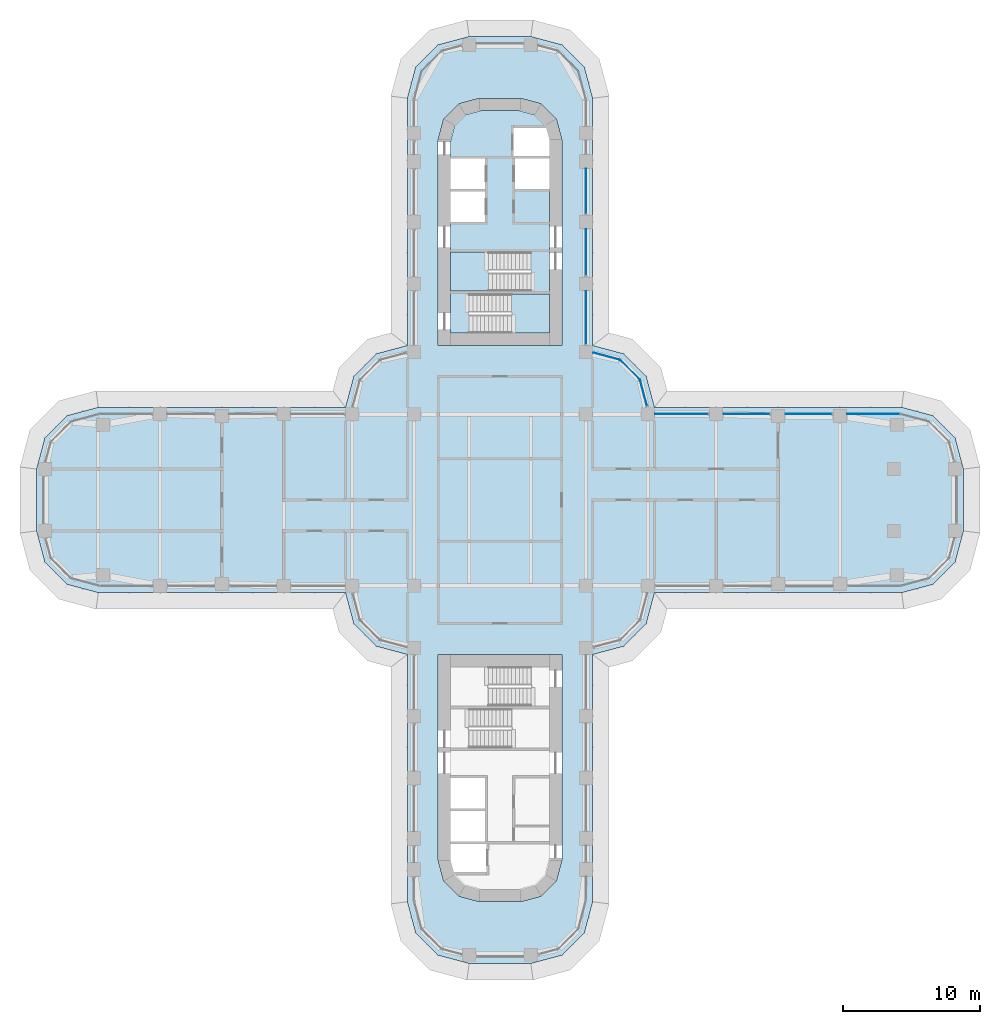
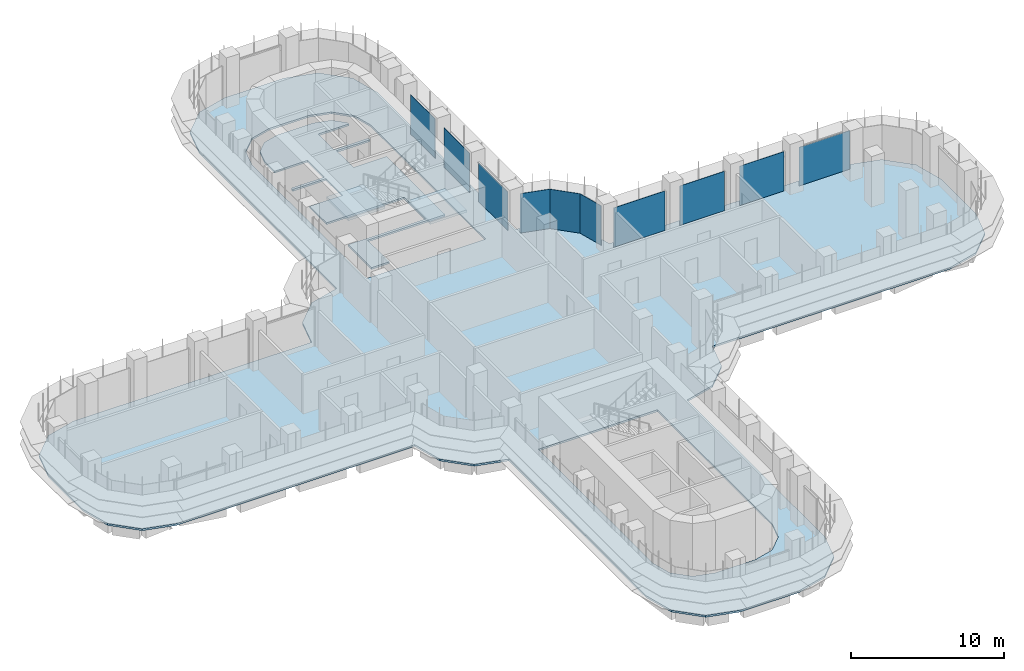
# One storey, part 15 of 23: 10 plates, 4 slabs, 7 elements without a shape of their own.
"""IFC4 building model written with IfcOpenShell, lengths in metres."""

from ifc_helpers import new_model, si_unit, direction, frame, origin, place, context, subcontext, project, spatial, polyline, outline, extrude, source, transform, mapped, material, layer, layer_set, type_object, element, aggregate, save


model = new_model("IFC4")

# Units and contexts
model_context = context("Model", 3, precision=1e-05, world=origin(), true_north=direction((0.0, 1.0)))
body_context = subcontext(model_context, "Body", "Model", "MODEL_VIEW")
ifc_project = project(units=[si_unit("LENGTHUNIT", "METRE"), si_unit("AREAUNIT", "SQUARE_METRE"), si_unit("VOLUMEUNIT", "CUBIC_METRE"), si_unit("PLANEANGLEUNIT", "RADIAN"), si_unit("MASSUNIT", "GRAM", prefix="KILO")], contexts=[model_context])

# Site, building, storey
site_placement = place(None, origin())
site = spatial("IfcSite", under=ifc_project, at=site_placement, CompositionType="ELEMENT")
building_placement = place(site_placement, origin())
building = spatial("IfcBuilding", under=site, at=building_placement, Name="Zarbagh Exchange Tower", CompositionType="ELEMENT")
storey_placement = place(building_placement, frame((0.0, 0.0, 31.199951171875)))
storey = spatial("IfcBuildingStorey", under=building, at=storey_placement, Name="L06", CompositionType="ELEMENT", Elevation=31.199951171875)

# Slabs
ifc_material_1 = material(Name="Concrete C40/50", Category="concrete")
ifc_layer_1 = layer(ifc_material_1, 0.14990234375)
ifc_layer_set_1 = layer_set([ifc_layer_1], Name="Composite floor slab 150 C40/50")
slab_type_1 = type_object("IfcSlabType", Name="Composite floor slab 150 C40/50", PredefinedType="FLOOR", material=ifc_layer_set_1)
slab_1_placement = place(storey_placement, frame((0.0, 0.0, -0.14990234375)))
element("IfcSlab", 1, at=slab_1_placement, inside=storey, type_object=slab_type_1, Name="S5 composite floor slab", PredefinedType="FLOOR", context=body_context, shape_type="SweptSolid", body=[
    extrude(outline(polyline([(-2.25, -33.75), (-4.5, -33.147216796875), (-6.147216796875, -31.5), (-6.75, -29.25), (-6.75, -11.25), (-9.0, -10.647216796875), (-10.647216796875, -9.0), (-11.25, -6.75), (-29.25, -6.75), (-31.5, -6.147216796875), (-33.147216796875, -4.5), (-33.75, -2.25), (-33.75, 2.25), (-33.147216796875, 4.5), (-31.5, 6.147216796875), (-29.25, 6.75), (-11.25, 6.75), (-10.647216796875, 9.0), (-9.0, 10.647216796875), (-6.75, 11.25), (-6.75, 29.25), (-6.147216796875, 31.5), (-4.5, 33.147216796875), (-2.25, 33.75), (2.25, 33.75), (4.5, 33.147216796875), (6.147216796875, 31.5), (6.75, 29.25), (6.75, 11.25), (9.0, 10.647216796875), (10.647216796875, 9.0), (11.25, 6.75), (29.25, 6.75), (31.5, 6.147216796875), (33.147216796875, 4.5), (33.75, 2.25), (33.75, -2.25), (33.147216796875, -4.5), (31.5, -6.147216796875), (29.25, -6.75), (11.25, -6.75), (10.647216796875, -9.0), (9.0, -10.647216796875), (6.75, -11.25), (6.75, -29.25), (6.147216796875, -31.5), (4.5, -33.147216796875), (2.25, -33.75), (-2.25, -33.75)]), holes=[polyline([(4.5, 11.25), (4.5, 26.25), (4.09814453125, 27.75), (3.0, 28.84814453125), (1.5, 29.25), (-1.5, 29.25), (-3.0, 28.84814453125), (-4.09814453125, 27.75), (-4.5, 26.25), (-4.5, 11.25), (4.5, 11.25)]), polyline([(-1.5, -29.25), (1.5, -29.25), (3.0, -28.84814453125), (4.09814453125, -27.75), (4.5, -26.25), (4.5, -11.25), (-4.5, -11.25), (-4.5, -26.25), (-4.09814453125, -27.75), (-3.0, -28.84814453125), (-1.5, -29.25)])]), origin(), (0.0, 0.0, 1.0), 0.14990234375),
])
ifc_layer_2 = layer(ifc_material_1, 0.14990234375)
ifc_layer_set_2 = layer_set([ifc_layer_2], Name="Core floor slab 150 C40/50")
slab_type_2 = type_object("IfcSlabType", Name="Core floor slab 150 C40/50", PredefinedType="FLOOR", material=ifc_layer_set_2)
slab_2_placement = place(storey_placement, frame((0.0, 0.0, -0.14990234375)))
element("IfcSlab", 2, at=slab_2_placement, inside=storey, type_object=slab_type_2, Name="S17 core N", PredefinedType="FLOOR", context=body_context, shape_type="SweptSolid", body=[
    extrude(outline(polyline([(-3.60009765625, 12.14990234375), (-3.60009765625, 15.199951171875), (2.25, 15.199951171875), (2.25, 18.050048828125), (-3.60009765625, 18.050048828125), (-3.60009765625, 20.25), (-1.10009765625, 20.25), (-1.10009765625, 22.449951171875), (-3.60009765625, 22.449951171875), (-3.60009765625, 22.64990234375), (-1.10009765625, 22.64990234375), (-1.10009765625, 24.85009765625), (-3.60009765625, 24.85009765625), (-3.60009765625, 26.131591796875), (-3.291259765625, 27.2841796875), (-2.5341796875, 28.041259765625), (-1.381591796875, 28.35009765625), (1.381591796875, 28.35009765625), (2.5341796875, 28.041259765625), (3.291259765625, 27.2841796875), (3.340576171875, 27.10009765625), (1.0, 27.10009765625), (1.0, 25.050048828125), (3.60009765625, 25.050048828125), (3.60009765625, 24.85009765625), (1.10009765625, 24.85009765625), (1.10009765625, 22.64990234375), (3.60009765625, 22.64990234375), (3.60009765625, 15.0), (-2.25, 15.0), (-2.25, 12.14990234375), (-3.60009765625, 12.14990234375)])), origin(), (0.0, 0.0, 1.0), 0.14990234375),
])

# Stair, slab
stair_type = type_object("IfcStairType", Name="Exit stair two-flight half-turn", PredefinedType="HALF_TURN_STAIR", material=ifc_material_1)
stair_1_placement = place(storey_placement, origin())
stair_1 = element("IfcStair", 3, at=stair_1_placement, inside=storey, type_object=stair_type, Name="exit stair ST1", PredefinedType="HALF_TURN_STAIR")
ifc_layer_3 = layer(ifc_material_1, 0.199951171875)
ifc_layer_set_3 = layer_set([ifc_layer_3], Name="Stair landing 200 mm")
slab_type_3 = type_object("IfcSlabType", Name="Stair landing 200 mm", PredefinedType="LANDING", material=ifc_layer_set_3)
slab_3_placement = place(storey_placement, frame((0.0, 0.0, 1.900146484375)))
slab_3 = element("IfcSlab", 4, at=slab_3_placement, type_object=slab_type_3, Name="ST1 landing 1", PredefinedType="LANDING", context=body_context, shape_type="SweptSolid", body=[
    extrude(outline(polyline([(-0.830078125, 18.050048828125), (-3.60009765625, 18.050048828125), (-3.60009765625, 15.199951171875), (-0.830078125, 15.199951171875), (-0.830078125, 18.050048828125)])), origin(), (0.0, 0.0, 1.0), 0.199951171875),
])
aggregate(stair_1, [slab_3])

stair_2_placement = place(storey_placement, origin())
stair_2 = element("IfcStair", 5, at=stair_2_placement, inside=storey, type_object=stair_type, Name="exit stair ST2", PredefinedType="HALF_TURN_STAIR")
slab_4_placement = place(storey_placement, frame((0.0, 0.0, 1.900146484375)))
slab_4 = element("IfcSlab", 6, at=slab_4_placement, type_object=slab_type_3, Name="ST2 landing 1", PredefinedType="LANDING", context=body_context, shape_type="SweptSolid", body=[
    extrude(outline(polyline([(0.830078125, 12.14990234375), (3.60009765625, 12.14990234375), (3.60009765625, 15.0), (0.830078125, 15.0), (0.830078125, 12.14990234375)])), origin(), (0.0, 0.0, 1.0), 0.199951171875),
])
aggregate(stair_2, [slab_4])

# Curtain wall, plate
ifc_material_2 = material(Name="Anodised aluminium frame and glazing", Category="aluminium")
curtain_wall_type = type_object("IfcCurtainWallType", Name="CWA Ribbon glazing, lower zones", PredefinedType="NOTDEFINED", material=ifc_material_2)
curtain_wall_1_placement = place(storey_placement, origin())
curtain_wall_1 = element("IfcCurtainWall", 7, at=curtain_wall_1_placement, inside=storey, type_object=curtain_wall_type, Name="CWA18 curtain wall", PredefinedType="NOTDEFINED")
ifc_material_3 = material(Name="Low-e double glazed unit, 6+12+6 mm")
ifc_layer_4 = layer(ifc_material_3, 0.028076171875)
ifc_layer_set_4 = layer_set([ifc_layer_4], Name="PAA Glazing panel, Low-e double glazed unit, 6+12+6 mm")
plate_type = type_object("IfcPlateType", Name="PAA Glazing panel, Low-e double glazed unit, 6+12+6 mm", PredefinedType="CURTAIN_PANEL", material=ifc_layer_set_4)
shared_shape_1 = source(origin(), body_context, "Body", "SweptSolid", [
    extrude(outline(polyline([(0.0, -0.013916015625), (2.061279296875, -0.013916015625), (2.061279296875, 0.013916015625), (0.0, 0.013916015625), (0.0, -0.013916015625)])), origin(), (0.0, 0.0, 1.0), 3.14990234375),
])
placement = place(storey_placement, origin())
plate_1 = element("IfcPlate", 8, at=placement, type_object=plate_type, Name="CWA18 glazing panel 1.1", PredefinedType="CURTAIN_PANEL", context=body_context, shape_type="MappedRepresentation", body=[
    mapped(shared_shape_1, transform((10.19873046875, 8.7412109375, 0.0), x_axis=(-0.707106781187, 0.707106781187, 0.0), y_axis=(-0.707106781187, -0.707106781187, 0.0), z_axis=(0.0, 0.0, 1.0))),
])
aggregate(curtain_wall_1, [plate_1])

curtain_wall_2_placement = place(storey_placement, origin())
curtain_wall_2 = element("IfcCurtainWall", 9, at=curtain_wall_2_placement, inside=storey, type_object=curtain_wall_type, Name="CWA20 curtain wall", PredefinedType="NOTDEFINED")
shared_shape_2 = source(origin(), body_context, "Body", "SweptSolid", [
    extrude(outline(polyline([(0.0, -0.013916015625), (3.260009765625, -0.013916015625), (3.260009765625, 0.013916015625), (0.0, 0.013916015625), (0.0, -0.013916015625)])), origin(), (0.0, 0.0, 1.0), 3.14990234375),
])
plate_2 = element("IfcPlate", 10, at=placement, type_object=plate_type, Name="CWA20 glazing panel 3.1", PredefinedType="CURTAIN_PANEL", context=body_context, shape_type="MappedRepresentation", body=[
    mapped(shared_shape_2, transform((6.25, 20.85009765625, 0.0), x_axis=(0.0, 1.0, 0.0), y_axis=(-1.0, 0.0, 0.0), z_axis=(0.0, 0.0, 1.0))),
])

# Curtain wall, plates
curtain_wall_3_placement = place(storey_placement, origin())
curtain_wall_3 = element("IfcCurtainWall", 11, at=curtain_wall_3_placement, inside=storey, type_object=curtain_wall_type, Name="CWA16 curtain wall", PredefinedType="NOTDEFINED")
shared_shape_3 = source(origin(), body_context, "Body", "SweptSolid", [
    extrude(outline(polyline([(0.0, -0.013916015625), (3.360107421875, -0.013916015625), (3.360107421875, 0.013916015625), (0.0, 0.013916015625), (0.0, -0.013916015625)])), origin(), (0.0, 0.0, 1.0), 3.14990234375),
])
plate_3 = element("IfcPlate", 12, at=placement, type_object=plate_type, Name="CWA16 glazing panel 2.1", PredefinedType="CURTAIN_PANEL", context=body_context, shape_type="MappedRepresentation", body=[
    mapped(shared_shape_3, transform((24.14990234375, 6.25, 0.0), x_axis=(-1.0, 0.0, 0.0), y_axis=(0.0, -1.0, 0.0), z_axis=(0.0, 0.0, 1.0))),
])
plate_4 = element("IfcPlate", 13, at=placement, type_object=plate_type, Name="CWA16 glazing panel 3.1", PredefinedType="CURTAIN_PANEL", context=body_context, shape_type="MappedRepresentation", body=[
    mapped(shared_shape_3, transform((19.64990234375, 6.25, 0.0), x_axis=(-1.0, 0.0, 0.0), y_axis=(0.0, -1.0, 0.0), z_axis=(0.0, 0.0, 1.0))),
])

# Plate
plate_5 = element("IfcPlate", 14, at=placement, type_object=plate_type, Name="CWA20 glazing panel 2.1", PredefinedType="CURTAIN_PANEL", context=body_context, shape_type="MappedRepresentation", body=[
    mapped(shared_shape_3, transform((6.25, 16.35009765625, 0.0), x_axis=(0.0, 1.0, 0.0), y_axis=(-1.0, 0.0, 0.0), z_axis=(0.0, 0.0, 1.0))),
])

# Curtain wall, plate
curtain_wall_4_placement = place(storey_placement, origin())
curtain_wall_4 = element("IfcCurtainWall", 15, at=curtain_wall_4_placement, inside=storey, type_object=curtain_wall_type, Name="CWA17 curtain wall", PredefinedType="NOTDEFINED")
shared_shape_4 = source(origin(), body_context, "Body", "SweptSolid", [
    extrude(outline(polyline([(0.0, -0.013916015625), (1.9599609375, -0.013916015625), (1.9599609375, 0.013916015625), (0.0, 0.013916015625), (0.0, -0.013916015625)])), origin(), (0.0, 0.0, 1.0), 3.14990234375),
])
plate_6 = element("IfcPlate", 16, at=placement, type_object=plate_type, Name="CWA17 glazing panel 1.1", PredefinedType="CURTAIN_PANEL", context=body_context, shape_type="MappedRepresentation", body=[
    mapped(shared_shape_4, transform((10.7060546875, 6.847900390625, 0.0), x_axis=(-0.258824779902, 0.965924289636, 0.0), y_axis=(-0.965924289636, -0.258824779902, 0.0), z_axis=(0.0, 0.0, 1.0))),
])
aggregate(curtain_wall_4, [plate_6])

curtain_wall_5_placement = place(storey_placement, origin())
curtain_wall_5 = element("IfcCurtainWall", 17, at=curtain_wall_5_placement, inside=storey, type_object=curtain_wall_type, Name="CWA19 curtain wall", PredefinedType="NOTDEFINED")
shared_shape_5 = source(origin(), body_context, "Body", "SweptSolid", [
    extrude(outline(polyline([(0.0, -0.013916015625), (2.02001953125, -0.013916015625), (2.02001953125, 0.013916015625), (0.0, 0.013916015625), (0.0, -0.013916015625)])), origin(), (0.0, 0.0, 1.0), 3.14990234375),
])
plate_7 = element("IfcPlate", 18, at=placement, type_object=plate_type, Name="CWA19 glazing panel 1.1", PredefinedType="CURTAIN_PANEL", context=body_context, shape_type="MappedRepresentation", body=[
    mapped(shared_shape_5, transform((8.7412109375, 10.19873046875, 0.0), x_axis=(-0.965924289636, 0.258824779902, 0.0), y_axis=(-0.258824779902, -0.965924289636, 0.0), z_axis=(0.0, 0.0, 1.0))),
])
aggregate(curtain_wall_5, [plate_7])

# Plate
shared_shape_6 = source(origin(), body_context, "Body", "SweptSolid", [
    extrude(outline(polyline([(0.0, -0.013916015625), (3.860107421875, -0.013916015625), (3.860107421875, 0.013916015625), (0.0, 0.013916015625), (0.0, -0.013916015625)])), origin(), (0.0, 0.0, 1.0), 3.090087890625),
])
plate_8 = element("IfcPlate", 19, at=placement, type_object=plate_type, Name="CWA20 glazing panel 1.1", PredefinedType="CURTAIN_PANEL", context=body_context, shape_type="MappedRepresentation", body=[
    mapped(shared_shape_6, transform((6.25, 11.35009765625, 0.0), x_axis=(0.0, 1.0, 0.0), y_axis=(-1.0, 0.0, 0.0), z_axis=(0.0, 0.0, 1.0))),
])

aggregate(curtain_wall_2, [plate_8, plate_5, plate_2])

shared_shape_7 = source(origin(), body_context, "Body", "SweptSolid", [
    extrude(outline(polyline([(0.0, -0.013916015625), (3.834228515625, -0.013916015625), (3.834228515625, 0.013916015625), (0.0, 0.013916015625), (0.0, -0.013916015625)])), origin(), (0.0, 0.0, 1.0), 3.090087890625),
])
plate_9 = element("IfcPlate", 20, at=placement, type_object=plate_type, Name="CWA16 glazing panel 1.1", PredefinedType="CURTAIN_PANEL", context=body_context, shape_type="MappedRepresentation", body=[
    mapped(shared_shape_7, transform((29.124267578125, 6.25, 0.0), x_axis=(-1.0, 0.0, 0.0), y_axis=(0.0, -1.0, 0.0), z_axis=(0.0, 0.0, 1.0))),
])

shared_shape_8 = source(origin(), body_context, "Body", "SweptSolid", [
    extrude(outline(polyline([(0.0, -0.013916015625), (3.860107421875, -0.013916015625), (3.860107421875, 0.013916015625), (0.0, 0.013916015625), (0.0, -0.013916015625)])), origin(), (0.0, 0.0, 1.0), 3.14990234375),
])
plate_10 = element("IfcPlate", 21, at=placement, type_object=plate_type, Name="CWA16 glazing panel 4.1", PredefinedType="CURTAIN_PANEL", context=body_context, shape_type="MappedRepresentation", body=[
    mapped(shared_shape_8, transform((15.14990234375, 6.25, 0.0), x_axis=(-1.0, 0.0, 0.0), y_axis=(0.0, -1.0, 0.0), z_axis=(0.0, 0.0, 1.0))),
])

aggregate(curtain_wall_3, [plate_9, plate_3, plate_4, plate_10])

save(model, "model.ifc")
